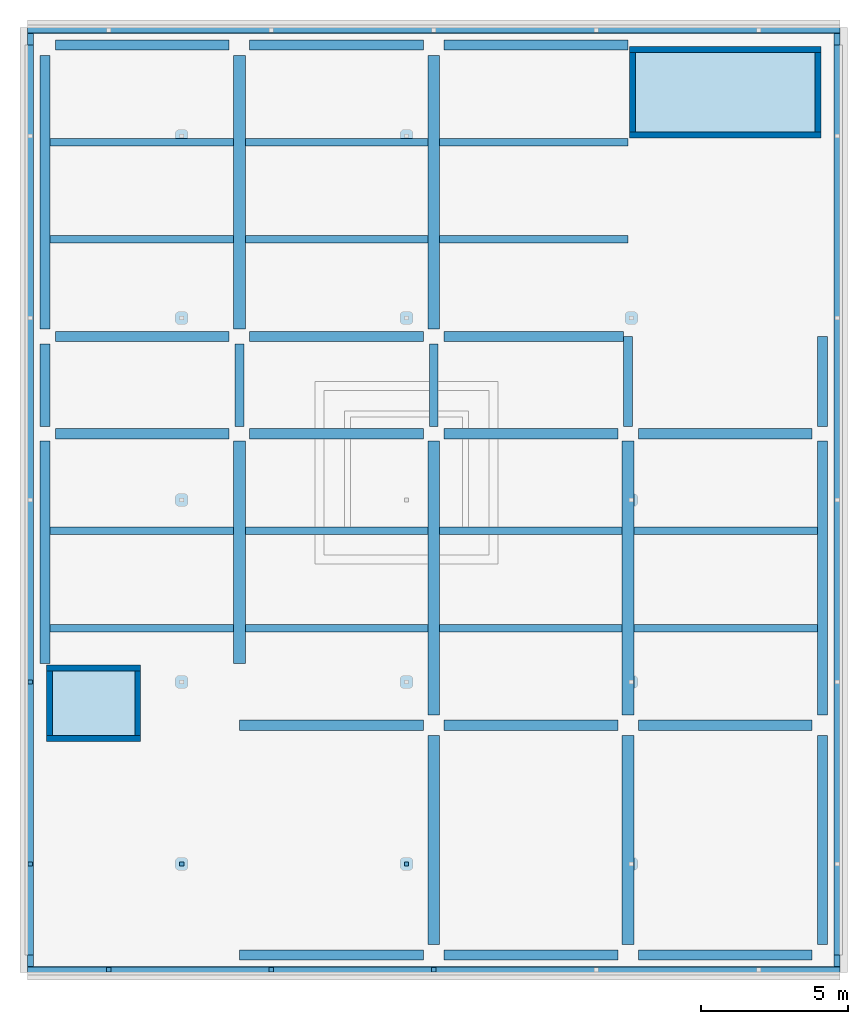
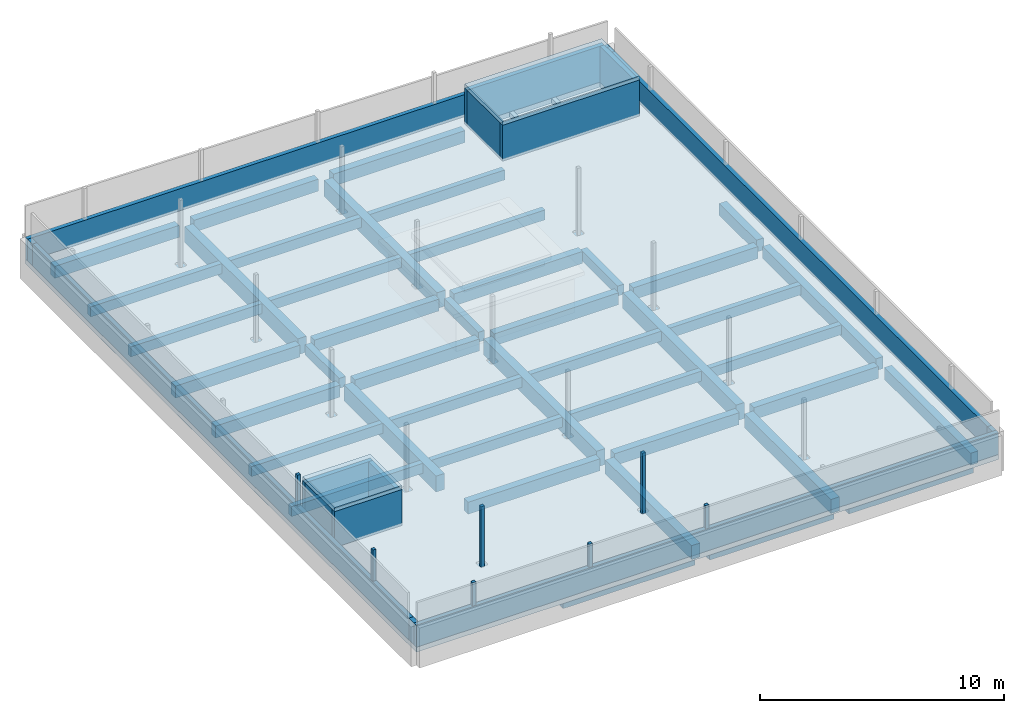
# One storey, part 1 of 4: 46 beams, 16 walls, 7 discrete accessories, 3 slabs.
"""IFC4 building model written with IfcOpenShell, lengths in metres."""

from ifc_helpers import new_model, si_unit, direction, frame, frame_2d, origin, origin_2d, place, context, subcontext, project, spatial, polyline, rectangle, outline, extrude, material, layer, layer_set, material_profile, profile_set, type_object, element, save


model = new_model("IFC4")

# Units and contexts
model_context = context("Model", 3, precision=1e-05, world=origin(), true_north=direction((0.0, 1.0)))
body_context = subcontext(model_context, "Body", "Model", "MODEL_VIEW")
ifc_project = project(units=[si_unit("LENGTHUNIT", "METRE"), si_unit("AREAUNIT", "SQUARE_METRE"), si_unit("VOLUMEUNIT", "CUBIC_METRE"), si_unit("PLANEANGLEUNIT", "RADIAN"), si_unit("MASSUNIT", "GRAM", prefix="KILO")], contexts=[model_context])

# Site, building, storey
site_placement = place(None, origin())
site = spatial("IfcSite", under=ifc_project, at=site_placement, CompositionType="ELEMENT")
building_placement = place(site_placement, origin())
building = spatial("IfcBuilding", under=site, at=building_placement, Name="Lantern Court Research Institute", CompositionType="ELEMENT")
storey_placement = place(building_placement, frame((0.0, 0.0, 45.89990234375)))
storey = spatial("IfcBuildingStorey", under=building, at=storey_placement, Name="RF", CompositionType="ELEMENT", Elevation=45.89990234375)

# Beams
ifc_material_1 = material(Name="Concrete C40/50", Category="concrete")
ifc_material_profile_1 = material_profile(ifc_material_1, rectangle(XDim=0.35009765625, YDim=0.60009765625, at=origin_2d()), Name="RC beam 350 x 600")
ifc_profile_set_1 = profile_set([ifc_material_profile_1], Name="Concrete C40/50")
beam_type_1 = type_object("IfcBeamType", Name="RC beam 350 x 600", PredefinedType="BEAM", material=ifc_profile_set_1)
beam_1_placement = place(storey_placement, frame((59.39990234375, 0.0, -0.5498046875), z_axis=(1.0, 0.0, 0.0), x_axis=(0.0, 1.0, 0.0)))
element("IfcBeam", 1, at=beam_1_placement, inside=storey, type_object=beam_type_1, Name="Beam RF grid A/10-11", PredefinedType="BEAM", context=body_context, shape_type="SweptSolid", body=[
    extrude(rectangle(XDim=0.35009765625, YDim=0.60009765625, at=origin_2d()), origin(), (0.0, 0.0, 1.0), 6.25),
])
beam_2_placement = place(storey_placement, frame((66.35009765625, 0.0, -0.5498046875), z_axis=(1.0, 0.0, 0.0), x_axis=(0.0, 1.0, 0.0)))
element("IfcBeam", 2, at=beam_2_placement, inside=storey, type_object=beam_type_1, Name="Beam RF grid A/11-12", PredefinedType="BEAM", context=body_context, shape_type="SweptSolid", body=[
    extrude(rectangle(XDim=0.35009765625, YDim=0.60009765625, at=origin_2d()), origin(), (0.0, 0.0, 1.0), 5.89990234375),
])
for number, where, z_axis, x_axis, name in (
    (3, (72.949951171875, 0.0, -0.5498046875), (1.0, 0.0, 0.0), (0.0, 1.0, 0.0), "Beam RF grid A/12-13"),
    (4, (53.14990234375, 9.89990234375, -0.5498046875), (1.0, 0.0, 0.0), (0.0, 1.0, 0.0), "Beam RF grid B/9-10"),
):
    element("IfcBeam", number, at=place(storey_placement, frame(where, z_axis=z_axis, x_axis=x_axis)), inside=storey, type_object=beam_type_1, Name=name, PredefinedType="BEAM", context=body_context, shape_type="SweptSolid", body=[
        extrude(rectangle(XDim=0.35009765625, YDim=0.60009765625, at=origin_2d()), origin(), (0.0, 0.0, 1.0), 5.900146484375),
    ])
for number, where, z_axis, x_axis, name in (
    (5, (59.75, 9.89990234375, -0.5498046875), (1.0, 0.0, 0.0), (0.0, 1.0, 0.0), "Beam RF grid B/10-11"),
    (6, (66.35009765625, 9.89990234375, -0.5498046875), (1.0, 0.0, 0.0), (0.0, 1.0, 0.0), "Beam RF grid B/11-12"),
):
    element("IfcBeam", number, at=place(storey_placement, frame(where, z_axis=z_axis, x_axis=x_axis)), inside=storey, type_object=beam_type_1, Name=name, PredefinedType="BEAM", context=body_context, shape_type="SweptSolid", body=[
        extrude(rectangle(XDim=0.35009765625, YDim=0.60009765625, at=origin_2d()), origin(), (0.0, 0.0, 1.0), 5.89990234375),
    ])
for number, where, z_axis, x_axis, name in (
    (7, (72.949951171875, 9.89990234375, -0.5498046875), (1.0, 0.0, 0.0), (0.0, 1.0, 0.0), "Beam RF grid B/12-13"),
    (8, (53.14990234375, 13.199951171875, -0.5498046875), (1.0, 0.0, 0.0), (0.0, 1.0, 0.0), "Beam RF grid C/9-10"),
):
    element("IfcBeam", number, at=place(storey_placement, frame(where, z_axis=z_axis, x_axis=x_axis)), inside=storey, type_object=beam_type_1, Name=name, PredefinedType="BEAM", context=body_context, shape_type="SweptSolid", body=[
        extrude(rectangle(XDim=0.35009765625, YDim=0.60009765625, at=origin_2d()), origin(), (0.0, 0.0, 1.0), 5.900146484375),
    ])
beam_3_placement = place(storey_placement, frame((59.75, 13.199951171875, -0.5498046875), z_axis=(1.0, 0.0, 0.0), x_axis=(0.0, 1.0, 0.0)))
element("IfcBeam", 9, at=beam_3_placement, inside=storey, type_object=beam_type_1, Name="Beam RF grid C/10-11", PredefinedType="BEAM", context=body_context, shape_type="SweptSolid", body=[
    extrude(rectangle(XDim=0.35009765625, YDim=0.60009765625, at=origin_2d()), origin(), (0.0, 0.0, 1.0), 5.89990234375),
])
beam_4_placement = place(storey_placement, frame((66.35009765625, 13.199951171875, -0.5498046875), z_axis=(1.0, 0.0, 0.0), x_axis=(0.0, 1.0, 0.0)))
element("IfcBeam", 10, at=beam_4_placement, inside=storey, type_object=beam_type_1, Name="Beam RF grid C/11-12", PredefinedType="BEAM", context=body_context, shape_type="SweptSolid", body=[
    extrude(rectangle(XDim=0.35009765625, YDim=0.60009765625, at=origin_2d()), origin(), (0.0, 0.0, 1.0), 6.099853515625),
])
ifc_material_2 = material(Name="Concrete C40/50", Category="concrete")
ifc_material_profile_2 = material_profile(ifc_material_2, rectangle(XDim=0.35009765625, YDim=0.60009765625, at=origin_2d()), Name="RC beam 350 x 600")
ifc_profile_set_2 = profile_set([ifc_material_profile_2], Name="Concrete C40/50")
beam_type_2 = type_object("IfcBeamType", Name="RC edge beam 350 x 600", PredefinedType="BEAM", material=ifc_profile_set_2)
beam_5_placement = place(storey_placement, frame((52.800048828125, 2.10009765625, -0.5498046875), z_axis=(0.0, 1.0, 0.0), x_axis=(-1.0, 0.0, 0.0)))
element("IfcBeam", 11, at=beam_5_placement, inside=storey, type_object=beam_type_2, Name="Edge beam RF grid 9/A-B", PredefinedType="BEAM", context=body_context, shape_type="SweptSolid", body=[
    extrude(rectangle(XDim=0.35009765625, YDim=0.60009765625, at=origin_2d()), origin(), (0.0, 0.0, 1.0), 7.5498046875),
])
beam_6_placement = place(storey_placement, frame((52.800048828125, 10.14990234375, -0.5498046875), z_axis=(0.0, 1.0, 0.0), x_axis=(-1.0, 0.0, 0.0)))
element("IfcBeam", 12, at=beam_6_placement, inside=storey, type_object=beam_type_2, Name="Edge beam RF grid 9/B-C", PredefinedType="BEAM", context=body_context, shape_type="SweptSolid", body=[
    extrude(rectangle(XDim=0.35009765625, YDim=0.60009765625, at=origin_2d()), origin(), (0.0, 0.0, 1.0), 2.800048828125),
])
beam_7_placement = place(storey_placement, frame((52.800048828125, 13.449951171875, -0.5498046875), z_axis=(0.0, 1.0, 0.0), x_axis=(-1.0, 0.0, 0.0)))
element("IfcBeam", 13, at=beam_7_placement, inside=storey, type_object=beam_type_2, Name="Edge beam RF grid 9/C-D", PredefinedType="BEAM", context=body_context, shape_type="SweptSolid", body=[
    extrude(rectangle(XDim=0.35009765625, YDim=0.60009765625, at=origin_2d()), origin(), (0.0, 0.0, 1.0), 9.300048828125),
])
beam_8_placement = place(storey_placement, frame((79.199951171875, -7.449951171875, -0.5498046875), z_axis=(0.0, 1.0, 0.0), x_axis=(-1.0, 0.0, 0.0)))
element("IfcBeam", 14, at=beam_8_placement, inside=storey, type_object=beam_type_2, Name="Edge beam RF grid 13/Z-A", PredefinedType="BEAM", context=body_context, shape_type="SweptSolid", body=[
    extrude(rectangle(XDim=0.35009765625, YDim=0.60009765625, at=origin_2d()), origin(), (0.0, 0.0, 1.0), 7.099853515625),
])
beam_9_placement = place(storey_placement, frame((79.199951171875, 0.35009765625, -0.5498046875), z_axis=(0.0, 1.0, 0.0), x_axis=(-1.0, 0.0, 0.0)))
element("IfcBeam", 15, at=beam_9_placement, inside=storey, type_object=beam_type_2, Name="Edge beam RF grid 13/A-B", PredefinedType="BEAM", context=body_context, shape_type="SweptSolid", body=[
    extrude(rectangle(XDim=0.35009765625, YDim=0.60009765625, at=origin_2d()), origin(), (0.0, 0.0, 1.0), 9.2998046875),
])
beam_10_placement = place(storey_placement, frame((79.199951171875, 10.14990234375, -0.5498046875), z_axis=(0.0, 1.0, 0.0), x_axis=(-1.0, 0.0, 0.0)))
element("IfcBeam", 16, at=beam_10_placement, inside=storey, type_object=beam_type_2, Name="Edge beam RF grid 13/B-C", PredefinedType="BEAM", context=body_context, shape_type="SweptSolid", body=[
    extrude(rectangle(XDim=0.35009765625, YDim=0.60009765625, at=origin_2d()), origin(), (0.0, 0.0, 1.0), 3.050048828125),
])
beam_11_placement = place(storey_placement, frame((59.39990234375, -7.800048828125, -0.5498046875), z_axis=(1.0, 0.0, 0.0), x_axis=(0.0, 1.0, 0.0)))
element("IfcBeam", 17, at=beam_11_placement, inside=storey, type_object=beam_type_2, Name="Edge beam RF grid Z/10-11", PredefinedType="BEAM", context=body_context, shape_type="SweptSolid", body=[
    extrude(rectangle(XDim=0.35009765625, YDim=0.60009765625, at=origin_2d()), origin(), (0.0, 0.0, 1.0), 6.25),
])
beam_12_placement = place(storey_placement, frame((66.35009765625, -7.800048828125, -0.5498046875), z_axis=(1.0, 0.0, 0.0), x_axis=(0.0, 1.0, 0.0)))
element("IfcBeam", 18, at=beam_12_placement, inside=storey, type_object=beam_type_2, Name="Edge beam RF grid Z/11-12", PredefinedType="BEAM", context=body_context, shape_type="SweptSolid", body=[
    extrude(rectangle(XDim=0.35009765625, YDim=0.60009765625, at=origin_2d()), origin(), (0.0, 0.0, 1.0), 5.89990234375),
])
for number, where, z_axis, x_axis, name in (
    (19, (72.949951171875, -7.800048828125, -0.5498046875), (1.0, 0.0, 0.0), (0.0, 1.0, 0.0), "Edge beam RF grid Z/12-13"),
    (20, (53.14990234375, 23.10009765625, -0.5498046875), (1.0, 0.0, 0.0), (0.0, 1.0, 0.0), "Edge beam RF grid D/9-10"),
):
    element("IfcBeam", number, at=place(storey_placement, frame(where, z_axis=z_axis, x_axis=x_axis)), inside=storey, type_object=beam_type_2, Name=name, PredefinedType="BEAM", context=body_context, shape_type="SweptSolid", body=[
        extrude(rectangle(XDim=0.35009765625, YDim=0.60009765625, at=origin_2d()), origin(), (0.0, 0.0, 1.0), 5.900146484375),
    ])
beam_13_placement = place(storey_placement, frame((59.75, 23.10009765625, -0.5498046875), z_axis=(1.0, 0.0, 0.0), x_axis=(0.0, 1.0, 0.0)))
element("IfcBeam", 21, at=beam_13_placement, inside=storey, type_object=beam_type_2, Name="Edge beam RF grid D/10-11", PredefinedType="BEAM", context=body_context, shape_type="SweptSolid", body=[
    extrude(rectangle(XDim=0.35009765625, YDim=0.60009765625, at=origin_2d()), origin(), (0.0, 0.0, 1.0), 5.89990234375),
])
beam_14_placement = place(storey_placement, frame((66.35009765625, 23.10009765625, -0.5498046875), z_axis=(1.0, 0.0, 0.0), x_axis=(0.0, 1.0, 0.0)))
element("IfcBeam", 22, at=beam_14_placement, inside=storey, type_object=beam_type_2, Name="Edge beam RF grid D/11-12", PredefinedType="BEAM", context=body_context, shape_type="SweptSolid", body=[
    extrude(rectangle(XDim=0.35009765625, YDim=0.60009765625, at=origin_2d()), origin(), (0.0, 0.0, 1.0), 6.25),
])
ifc_material_3 = material(Name="Concrete C40/50", Category="concrete")
ifc_material_profile_3 = material_profile(ifc_material_3, rectangle(XDim=0.39990234375, YDim=0.699951171875, at=origin_2d()), Name="RC beam 400 x 700")
ifc_profile_set_3 = profile_set([ifc_material_profile_3], Name="Concrete C40/50")
beam_type_3 = type_object("IfcBeamType", Name="RC girder 400 x 700", PredefinedType="BEAM", material=ifc_profile_set_3)
for number, where, z_axis, x_axis, name in (
    (23, (66.0, -7.449951171875, -0.599853515625), (0.0, 1.0, 0.0), (-1.0, 0.0, 0.0), "Girder RF grid 11/Z-A"),
    (24, (72.60009765625, -7.449951171875, -0.599853515625), (0.0, 1.0, 0.0), (-1.0, 0.0, 0.0), "Girder RF grid 12/Z-A"),
):
    element("IfcBeam", number, at=place(storey_placement, frame(where, z_axis=z_axis, x_axis=x_axis)), inside=storey, type_object=beam_type_3, Name=name, PredefinedType="BEAM", context=body_context, shape_type="SweptSolid", body=[
        extrude(rectangle(XDim=0.39990234375, YDim=0.699951171875, at=origin_2d()), origin(), (0.0, 0.0, 1.0), 7.099853515625),
    ])
ifc_material_4 = material(Name="Concrete C40/50", Category="concrete")
ifc_material_profile_4 = material_profile(ifc_material_4, rectangle(XDim=0.39990234375, YDim=0.800048828125, at=origin_2d()), Name="RC beam 400 x 800")
ifc_profile_set_4 = profile_set([ifc_material_profile_4], Name="Concrete C40/50")
beam_type_4 = type_object("IfcBeamType", Name="RC girder 400 x 800", PredefinedType="BEAM", material=ifc_profile_set_4)
beam_15_placement = place(storey_placement, frame((59.39990234375, 2.10009765625, -0.64990234375), z_axis=(0.0, 1.0, 0.0), x_axis=(-1.0, 0.0, 0.0)))
element("IfcBeam", 25, at=beam_15_placement, inside=storey, type_object=beam_type_4, Name="Girder RF grid 10/A-B", PredefinedType="BEAM", context=body_context, shape_type="SweptSolid", body=[
    extrude(rectangle(XDim=0.39990234375, YDim=0.800048828125, at=origin_2d()), origin(), (0.0, 0.0, 1.0), 7.5498046875),
])
beam_16_placement = place(storey_placement, frame((59.39990234375, 13.449951171875, -0.64990234375), z_axis=(0.0, 1.0, 0.0), x_axis=(-1.0, 0.0, 0.0)))
element("IfcBeam", 26, at=beam_16_placement, inside=storey, type_object=beam_type_4, Name="Girder RF grid 10/C-D", PredefinedType="BEAM", context=body_context, shape_type="SweptSolid", body=[
    extrude(rectangle(XDim=0.39990234375, YDim=0.800048828125, at=origin_2d()), origin(), (0.0, 0.0, 1.0), 9.300048828125),
])
beam_17_placement = place(storey_placement, frame((66.0, 0.35009765625, -0.64990234375), z_axis=(0.0, 1.0, 0.0), x_axis=(-1.0, 0.0, 0.0)))
element("IfcBeam", 27, at=beam_17_placement, inside=storey, type_object=beam_type_4, Name="Girder RF grid 11/A-B", PredefinedType="BEAM", context=body_context, shape_type="SweptSolid", body=[
    extrude(rectangle(XDim=0.39990234375, YDim=0.800048828125, at=origin_2d()), origin(), (0.0, 0.0, 1.0), 9.2998046875),
])
beam_18_placement = place(storey_placement, frame((66.0, 13.449951171875, -0.64990234375), z_axis=(0.0, 1.0, 0.0), x_axis=(-1.0, 0.0, 0.0)))
element("IfcBeam", 28, at=beam_18_placement, inside=storey, type_object=beam_type_4, Name="Girder RF grid 11/C-D", PredefinedType="BEAM", context=body_context, shape_type="SweptSolid", body=[
    extrude(rectangle(XDim=0.39990234375, YDim=0.800048828125, at=origin_2d()), origin(), (0.0, 0.0, 1.0), 9.300048828125),
])
beam_19_placement = place(storey_placement, frame((72.60009765625, 0.35009765625, -0.64990234375), z_axis=(0.0, 1.0, 0.0), x_axis=(-1.0, 0.0, 0.0)))
element("IfcBeam", 29, at=beam_19_placement, inside=storey, type_object=beam_type_4, Name="Girder RF grid 12/A-B", PredefinedType="BEAM", context=body_context, shape_type="SweptSolid", body=[
    extrude(rectangle(XDim=0.39990234375, YDim=0.800048828125, at=origin_2d()), origin(), (0.0, 0.0, 1.0), 9.2998046875),
])
ifc_material_5 = material(Name="Concrete C40/50", Category="concrete")
ifc_material_profile_5 = material_profile(ifc_material_5, rectangle(XDim=0.25, YDim=0.5, at=origin_2d()), Name="RC beam 250 x 500")
ifc_profile_set_5 = profile_set([ifc_material_profile_5], Name="Concrete C40/50")
beam_type_5 = type_object("IfcBeamType", Name="RC secondary beam 250 x 500", PredefinedType="BEAM", material=ifc_profile_set_5)
beam_20_placement = place(storey_placement, frame((52.97509765625, 3.300048828125, -0.5), z_axis=(1.0, 0.0, 0.0), x_axis=(0.0, 1.0, 0.0)))
element("IfcBeam", 30, at=beam_20_placement, inside=storey, type_object=beam_type_5, Name="Secondary beam RF grids 9-10 / A-B, line 1", PredefinedType="BEAM", context=body_context, shape_type="SweptSolid", body=[
    extrude(rectangle(XDim=0.25, YDim=0.5, at=origin_2d()), origin(), (0.0, 0.0, 1.0), 6.224853515625),
])
for number, where, z_axis, x_axis, name in (
    (31, (59.60009765625, 3.300048828125, -0.5), (1.0, 0.0, 0.0), (0.0, 1.0, 0.0), "Secondary beam RF grids 10-11 / A-B, line 1"),
    (32, (66.199951171875, 3.300048828125, -0.5), (1.0, 0.0, 0.0), (0.0, 1.0, 0.0), "Secondary beam RF grids 11-12 / A-B, line 1"),
):
    element("IfcBeam", number, at=place(storey_placement, frame(where, z_axis=z_axis, x_axis=x_axis)), inside=storey, type_object=beam_type_5, Name=name, PredefinedType="BEAM", context=body_context, shape_type="SweptSolid", body=[
        extrude(rectangle(XDim=0.25, YDim=0.5, at=origin_2d()), origin(), (0.0, 0.0, 1.0), 6.199951171875),
    ])
for number, where, z_axis, x_axis, name in (
    (33, (72.800048828125, 3.300048828125, -0.5), (1.0, 0.0, 0.0), (0.0, 1.0, 0.0), "Secondary beam RF grids 12-13 / A-B, line 1"),
    (34, (52.97509765625, 6.60009765625, -0.5), (1.0, 0.0, 0.0), (0.0, 1.0, 0.0), "Secondary beam RF grids 9-10 / A-B, line 2"),
):
    element("IfcBeam", number, at=place(storey_placement, frame(where, z_axis=z_axis, x_axis=x_axis)), inside=storey, type_object=beam_type_5, Name=name, PredefinedType="BEAM", context=body_context, shape_type="SweptSolid", body=[
        extrude(rectangle(XDim=0.25, YDim=0.5, at=origin_2d()), origin(), (0.0, 0.0, 1.0), 6.224853515625),
    ])
for number, where, z_axis, x_axis, name in (
    (35, (59.60009765625, 6.60009765625, -0.5), (1.0, 0.0, 0.0), (0.0, 1.0, 0.0), "Secondary beam RF grids 10-11 / A-B, line 2"),
    (36, (66.199951171875, 6.60009765625, -0.5), (1.0, 0.0, 0.0), (0.0, 1.0, 0.0), "Secondary beam RF grids 11-12 / A-B, line 2"),
):
    element("IfcBeam", number, at=place(storey_placement, frame(where, z_axis=z_axis, x_axis=x_axis)), inside=storey, type_object=beam_type_5, Name=name, PredefinedType="BEAM", context=body_context, shape_type="SweptSolid", body=[
        extrude(rectangle(XDim=0.25, YDim=0.5, at=origin_2d()), origin(), (0.0, 0.0, 1.0), 6.199951171875),
    ])
for number, where, z_axis, x_axis, name in (
    (37, (72.800048828125, 6.60009765625, -0.5), (1.0, 0.0, 0.0), (0.0, 1.0, 0.0), "Secondary beam RF grids 12-13 / A-B, line 2"),
    (38, (52.97509765625, 16.5, -0.5), (1.0, 0.0, 0.0), (0.0, 1.0, 0.0), "Secondary beam RF grids 9-10 / C-D, line 1"),
):
    element("IfcBeam", number, at=place(storey_placement, frame(where, z_axis=z_axis, x_axis=x_axis)), inside=storey, type_object=beam_type_5, Name=name, PredefinedType="BEAM", context=body_context, shape_type="SweptSolid", body=[
        extrude(rectangle(XDim=0.25, YDim=0.5, at=origin_2d()), origin(), (0.0, 0.0, 1.0), 6.224853515625),
    ])
beam_21_placement = place(storey_placement, frame((59.60009765625, 16.5, -0.5), z_axis=(1.0, 0.0, 0.0), x_axis=(0.0, 1.0, 0.0)))
element("IfcBeam", 39, at=beam_21_placement, inside=storey, type_object=beam_type_5, Name="Secondary beam RF grids 10-11 / C-D, line 1", PredefinedType="BEAM", context=body_context, shape_type="SweptSolid", body=[
    extrude(rectangle(XDim=0.25, YDim=0.5, at=origin_2d()), origin(), (0.0, 0.0, 1.0), 6.199951171875),
])
beam_22_placement = place(storey_placement, frame((66.199951171875, 16.5, -0.5), z_axis=(1.0, 0.0, 0.0), x_axis=(0.0, 1.0, 0.0)))
element("IfcBeam", 40, at=beam_22_placement, inside=storey, type_object=beam_type_5, Name="Secondary beam RF grids 11-12 / C-D, line 1", PredefinedType="BEAM", context=body_context, shape_type="SweptSolid", body=[
    extrude(rectangle(XDim=0.25, YDim=0.5, at=origin_2d()), origin(), (0.0, 0.0, 1.0), 6.400146484375),
])
beam_23_placement = place(storey_placement, frame((52.97509765625, 19.800048828125, -0.5), z_axis=(1.0, 0.0, 0.0), x_axis=(0.0, 1.0, 0.0)))
element("IfcBeam", 41, at=beam_23_placement, inside=storey, type_object=beam_type_5, Name="Secondary beam RF grids 9-10 / C-D, line 2", PredefinedType="BEAM", context=body_context, shape_type="SweptSolid", body=[
    extrude(rectangle(XDim=0.25, YDim=0.5, at=origin_2d()), origin(), (0.0, 0.0, 1.0), 6.224853515625),
])
beam_24_placement = place(storey_placement, frame((59.60009765625, 19.800048828125, -0.5), z_axis=(1.0, 0.0, 0.0), x_axis=(0.0, 1.0, 0.0)))
element("IfcBeam", 42, at=beam_24_placement, inside=storey, type_object=beam_type_5, Name="Secondary beam RF grids 10-11 / C-D, line 2", PredefinedType="BEAM", context=body_context, shape_type="SweptSolid", body=[
    extrude(rectangle(XDim=0.25, YDim=0.5, at=origin_2d()), origin(), (0.0, 0.0, 1.0), 6.199951171875),
])
beam_25_placement = place(storey_placement, frame((66.199951171875, 19.800048828125, -0.5), z_axis=(1.0, 0.0, 0.0), x_axis=(0.0, 1.0, 0.0)))
element("IfcBeam", 43, at=beam_25_placement, inside=storey, type_object=beam_type_5, Name="Secondary beam RF grids 11-12 / C-D, line 2", PredefinedType="BEAM", context=body_context, shape_type="SweptSolid", body=[
    extrude(rectangle(XDim=0.25, YDim=0.5, at=origin_2d()), origin(), (0.0, 0.0, 1.0), 6.400146484375),
])
ifc_material_6 = material(Name="Concrete C40/50", Category="concrete")
ifc_material_profile_6 = material_profile(ifc_material_6, rectangle(XDim=0.300048828125, YDim=0.5, at=origin_2d()), Name="RC beam 300 x 500")
ifc_profile_set_6 = profile_set([ifc_material_profile_6], Name="Concrete C40/50")
beam_type_6 = type_object("IfcBeamType", Name="RC spine beam 300 x 500", PredefinedType="BEAM", material=ifc_profile_set_6)
for number, where, z_axis, x_axis, name in (
    (44, (59.39990234375, 10.14990234375, -0.5), (0.0, 1.0, 0.0), (-1.0, 0.0, 0.0), "Beam RF grid 10/B-C"),
    (45, (66.0, 10.14990234375, -0.5), (0.0, 1.0, 0.0), (-1.0, 0.0, 0.0), "Beam RF grid 11/B-C"),
):
    element("IfcBeam", number, at=place(storey_placement, frame(where, z_axis=z_axis, x_axis=x_axis)), inside=storey, type_object=beam_type_6, Name=name, PredefinedType="BEAM", context=body_context, shape_type="SweptSolid", body=[
        extrude(rectangle(XDim=0.300048828125, YDim=0.5, at=origin_2d()), origin(), (0.0, 0.0, 1.0), 2.800048828125),
    ])
beam_26_placement = place(storey_placement, frame((72.60009765625, 10.14990234375, -0.5), z_axis=(0.0, 1.0, 0.0), x_axis=(-1.0, 0.0, 0.0)))
element("IfcBeam", 46, at=beam_26_placement, inside=storey, type_object=beam_type_6, Name="Beam RF grid 12/B-C", PredefinedType="BEAM", context=body_context, shape_type="SweptSolid", body=[
    extrude(rectangle(XDim=0.300048828125, YDim=0.5, at=origin_2d()), origin(), (0.0, 0.0, 1.0), 3.050048828125),
])

# Slabs
ifc_material_7 = material(Name="Concrete C35/45", Category="concrete")
ifc_layer_1 = layer(ifc_material_7, 0.199951171875)
ifc_layer_set_1 = layer_set([ifc_layer_1], Name="Concrete C35/45")
slab_type_1 = type_object("IfcSlabType", Name="RC lift overrun roof 200", PredefinedType="ROOF", material=ifc_layer_set_1)
slab_1_placement = place(storey_placement, frame((0.0, 0.0, 1.800048828125)))
element("IfcSlab", 47, at=slab_1_placement, inside=storey, type_object=slab_type_1, Name="Lift overrun roof of core TC-W", PredefinedType="ROOF", context=body_context, shape_type="SweptSolid", body=[
    extrude(outline(polyline([(52.85009765625, -0.550048828125), (56.050048828125, -0.550048828125), (56.050048828125, 2.050048828125), (52.85009765625, 2.050048828125), (52.85009765625, -0.550048828125)])), origin(), (0.0, 0.0, 1.0), 0.199951171875),
])
slab_2_placement = place(storey_placement, frame((0.0, 0.0, 1.800048828125)))
element("IfcSlab", 48, at=slab_2_placement, inside=storey, type_object=slab_type_1, Name="Lift overrun roof of core TC-E", PredefinedType="ROOF", context=body_context, shape_type="SweptSolid", body=[
    extrude(outline(polyline([(72.64990234375, 19.949951171875), (79.14990234375, 19.949951171875), (79.14990234375, 23.050048828125), (72.64990234375, 23.050048828125), (72.64990234375, 19.949951171875)])), origin(), (0.0, 0.0, 1.0), 0.199951171875),
])
ifc_material_8 = material(Name="Concrete C35/45", Category="concrete")
ifc_layer_2 = layer(ifc_material_8, 0.25)
ifc_layer_set_2 = layer_set([ifc_layer_2], Name="Concrete C35/45")
slab_type_2 = type_object("IfcSlabType", Name="RC roof slab 250", PredefinedType="ROOF", material=ifc_layer_set_2)
slab_3_placement = place(storey_placement, frame((0.0, 0.0, -0.25)))
element("IfcSlab", 49, at=slab_3_placement, inside=storey, type_object=slab_type_2, Name="Roof slab RF Dry Laboratory and Clean Room Tower", PredefinedType="ROOF", context=body_context, shape_type="SweptSolid", body=[
    extrude(outline(polyline([(52.199951171875, -8.39990234375), (79.800048828125, -8.39990234375), (79.800048828125, -7.800048828125), (79.800048828125, 23.10009765625), (79.800048828125, 23.699951171875), (52.199951171875, 23.699951171875), (52.199951171875, 23.10009765625), (52.199951171875, -7.800048828125), (52.199951171875, -8.39990234375)]), holes=[polyline([(53.050048828125, -0.35009765625), (55.85009765625, -0.35009765625), (55.85009765625, 1.85009765625), (53.050048828125, 1.85009765625), (53.050048828125, -0.35009765625)]), polyline([(72.85009765625, 20.14990234375), (74.64990234375, 20.14990234375), (74.64990234375, 22.85009765625), (72.85009765625, 22.85009765625), (72.85009765625, 20.14990234375)]), polyline([(74.85009765625, 20.14990234375), (76.64990234375, 20.14990234375), (76.64990234375, 22.85009765625), (74.85009765625, 22.85009765625), (74.85009765625, 20.14990234375)]), polyline([(76.85009765625, 20.14990234375), (78.949951171875, 20.14990234375), (78.949951171875, 22.85009765625), (76.85009765625, 22.85009765625), (76.85009765625, 20.14990234375)])]), origin(), (0.0, 0.0, 1.0), 0.25),
])

# Walls
ifc_material_9 = material(Name="Concrete C30/37", Category="concrete")
ifc_layer_3 = layer(ifc_material_9, 0.199951171875)
ifc_layer_set_3 = layer_set([ifc_layer_3], Name="Concrete C30/37")
wall_type_1 = type_object("IfcWallType", Name="Parapet 200 concrete upstand", PredefinedType="PARAPET", material=ifc_layer_set_3)
wall_1_placement = place(storey_placement, frame((52.199951171875, -8.300048828125, 0.0), z_axis=(0.0, 0.0, 1.0), x_axis=(1.0, 0.0, 0.0)))
element("IfcWall", 50, at=wall_1_placement, inside=storey, type_object=wall_type_1, Name="Parapet RF Dry Laboratory and Clean Room Tower 1", PredefinedType="PARAPET", context=body_context, shape_type="SweptSolid", body=[
    extrude(rectangle(XDim=27.60009765625, YDim=0.199951171875, at=frame_2d((13.800048828125, 0.0))), origin(), (0.0, 0.0, 1.0), 1.10009765625),
])
wall_2_placement = place(storey_placement, frame((79.699951171875, -8.199951171875, 0.0), z_axis=(0.0, 0.0, 1.0), x_axis=(0.0, 1.0, 0.0)))
element("IfcWall", 51, at=wall_2_placement, inside=storey, type_object=wall_type_1, Name="Parapet RF Dry Laboratory and Clean Room Tower 2", PredefinedType="PARAPET", context=body_context, shape_type="SweptSolid", body=[
    extrude(rectangle(XDim=0.39990234375, YDim=0.199951171875, at=frame_2d((0.199951171875, 0.0))), origin(), (0.0, 0.0, 1.0), 1.10009765625),
])
wall_3_placement = place(storey_placement, frame((79.699951171875, -7.800048828125, 0.0), z_axis=(0.0, 0.0, 1.0), x_axis=(0.0, 1.0, 0.0)))
element("IfcWall", 52, at=wall_3_placement, inside=storey, type_object=wall_type_1, Name="Parapet RF Dry Laboratory and Clean Room Tower 3", PredefinedType="PARAPET", context=body_context, shape_type="SweptSolid", body=[
    extrude(rectangle(XDim=30.900146484375, YDim=0.199951171875, at=frame_2d((15.4501953125, 0.0))), origin(), (0.0, 0.0, 1.0), 1.10009765625),
])
wall_4_placement = place(storey_placement, frame((79.699951171875, 23.10009765625, 0.0), z_axis=(0.0, 0.0, 1.0), x_axis=(0.0, 1.0, 0.0)))
element("IfcWall", 53, at=wall_4_placement, inside=storey, type_object=wall_type_1, Name="Parapet RF Dry Laboratory and Clean Room Tower 4", PredefinedType="PARAPET", context=body_context, shape_type="SweptSolid", body=[
    extrude(rectangle(XDim=0.39990234375, YDim=0.199951171875, at=frame_2d((0.199951171875, 0.0))), origin(), (0.0, 0.0, 1.0), 1.10009765625),
])
wall_5_placement = place(storey_placement, frame((79.800048828125, 23.60009765625, 0.0), z_axis=(0.0, 0.0, 1.0), x_axis=(-1.0, 0.0, 0.0)))
element("IfcWall", 54, at=wall_5_placement, inside=storey, type_object=wall_type_1, Name="Parapet RF Dry Laboratory and Clean Room Tower 5", PredefinedType="PARAPET", context=body_context, shape_type="SweptSolid", body=[
    extrude(rectangle(XDim=27.60009765625, YDim=0.199951171875, at=frame_2d((13.800048828125, 0.0))), origin(), (0.0, 0.0, 1.0), 1.10009765625),
])
wall_6_placement = place(storey_placement, frame((52.300048828125, 23.5, 0.0), z_axis=(0.0, 0.0, 1.0), x_axis=(0.0, -1.0, 0.0)))
element("IfcWall", 55, at=wall_6_placement, inside=storey, type_object=wall_type_1, Name="Parapet RF Dry Laboratory and Clean Room Tower 6", PredefinedType="PARAPET", context=body_context, shape_type="SweptSolid", body=[
    extrude(rectangle(XDim=0.39990234375, YDim=0.199951171875, at=frame_2d((0.199951171875, 0.0))), origin(), (0.0, 0.0, 1.0), 1.10009765625),
])
wall_7_placement = place(storey_placement, frame((52.300048828125, 23.10009765625, 0.0), z_axis=(0.0, 0.0, 1.0), x_axis=(0.0, -1.0, 0.0)))
element("IfcWall", 56, at=wall_7_placement, inside=storey, type_object=wall_type_1, Name="Parapet RF Dry Laboratory and Clean Room Tower 7", PredefinedType="PARAPET", context=body_context, shape_type="SweptSolid", body=[
    extrude(rectangle(XDim=30.900146484375, YDim=0.199951171875, at=frame_2d((15.4501953125, 0.0))), origin(), (0.0, 0.0, 1.0), 1.10009765625),
])
wall_8_placement = place(storey_placement, frame((52.300048828125, -7.800048828125, 0.0), z_axis=(0.0, 0.0, 1.0), x_axis=(0.0, -1.0, 0.0)))
element("IfcWall", 57, at=wall_8_placement, inside=storey, type_object=wall_type_1, Name="Parapet RF Dry Laboratory and Clean Room Tower 8", PredefinedType="PARAPET", context=body_context, shape_type="SweptSolid", body=[
    extrude(rectangle(XDim=0.39990234375, YDim=0.199951171875, at=frame_2d((0.199951171875, 0.0))), origin(), (0.0, 0.0, 1.0), 1.10009765625),
])
ifc_material_10 = material(Name="Concrete C40/50", Category="concrete")
ifc_layer_4 = layer(ifc_material_10, 0.199951171875)
ifc_layer_set_4 = layer_set([ifc_layer_4], Name="Concrete C40/50")
wall_type_2 = type_object("IfcWallType", Name="RC lift overrun wall 200", PredefinedType="SHEAR", material=ifc_layer_set_4)
for number, where, z_axis, x_axis, name in (
    (58, (52.85009765625, -0.449951171875, 0.0), (0.0, 0.0, 1.0), (1.0, 0.0, 0.0), "Lift overrun wall of core TC-W (south)"),
    (59, (52.85009765625, 1.949951171875, 0.0), (0.0, 0.0, 1.0), (1.0, 0.0, 0.0), "Lift overrun wall of core TC-W (north)"),
):
    element("IfcWall", number, at=place(storey_placement, frame(where, z_axis=z_axis, x_axis=x_axis)), inside=storey, type_object=wall_type_2, Name=name, PredefinedType="SHEAR", context=body_context, shape_type="SweptSolid", body=[
        extrude(rectangle(XDim=3.199951171875, YDim=0.199951171875, at=frame_2d((1.60009765625, 0.0))), origin(), (0.0, 0.0, 1.0), 1.800048828125),
    ])
for number, where, z_axis, x_axis, name in (
    (60, (52.949951171875, -0.35009765625, 0.0), (0.0, 0.0, 1.0), (0.0, 1.0, 0.0), "Lift overrun wall of core TC-W (west)"),
    (61, (55.949951171875, -0.35009765625, 0.0), (0.0, 0.0, 1.0), (0.0, 1.0, 0.0), "Lift overrun wall of core TC-W (east)"),
):
    element("IfcWall", number, at=place(storey_placement, frame(where, z_axis=z_axis, x_axis=x_axis)), inside=storey, type_object=wall_type_2, Name=name, PredefinedType="SHEAR", context=body_context, shape_type="SweptSolid", body=[
        extrude(rectangle(XDim=2.2001953125, YDim=0.199951171875, at=frame_2d((1.10009765625, 0.0))), origin(), (0.0, 0.0, 1.0), 1.800048828125),
    ])
for number, where, z_axis, x_axis, name in (
    (62, (72.64990234375, 20.050048828125, 0.0), (0.0, 0.0, 1.0), (1.0, 0.0, 0.0), "Lift overrun wall of core TC-E (south)"),
    (63, (72.64990234375, 22.949951171875, 0.0), (0.0, 0.0, 1.0), (1.0, 0.0, 0.0), "Lift overrun wall of core TC-E (north)"),
):
    element("IfcWall", number, at=place(storey_placement, frame(where, z_axis=z_axis, x_axis=x_axis)), inside=storey, type_object=wall_type_2, Name=name, PredefinedType="SHEAR", context=body_context, shape_type="SweptSolid", body=[
        extrude(rectangle(XDim=6.5, YDim=0.199951171875, at=frame_2d((3.25, 0.0))), origin(), (0.0, 0.0, 1.0), 1.800048828125),
    ])
for number, where, z_axis, x_axis, name in (
    (64, (72.75, 20.14990234375, 0.0), (0.0, 0.0, 1.0), (0.0, 1.0, 0.0), "Lift overrun wall of core TC-E (west)"),
    (65, (79.050048828125, 20.14990234375, 0.0), (0.0, 0.0, 1.0), (0.0, 1.0, 0.0), "Lift overrun wall of core TC-E (east)"),
):
    element("IfcWall", number, at=place(storey_placement, frame(where, z_axis=z_axis, x_axis=x_axis)), inside=storey, type_object=wall_type_2, Name=name, PredefinedType="SHEAR", context=body_context, shape_type="SweptSolid", body=[
        extrude(rectangle(XDim=2.7001953125, YDim=0.199951171875, at=frame_2d((1.35009765625, 0.0))), origin(), (0.0, 0.0, 1.0), 1.800048828125),
    ])

# Discrete accessories
ifc_material_11 = material(Name="Structural steel S355", Category="steel")
discrete_accessory_type = type_object("IfcDiscreteAccessoryType", Name="Parasol roof post 150 x 150 steel", PredefinedType="BRACKET", material=ifc_material_11)
for number, where, z_axis, x_axis, name in (
    (66, (65.074951171875, -4.7099609375, 0.0), (0.0, 0.0, 1.0), (1.0, 0.0, 0.0), "Parasol roof post V5 1"),
    (67, (57.4375, -4.7099609375, 0.0), (0.0, 0.0, 1.0), (1.0, 0.0, 0.0), "Parasol roof post V5 6"),
):
    element("IfcDiscreteAccessory", number, at=place(storey_placement, frame(where, z_axis=z_axis, x_axis=x_axis)), inside=storey, type_object=discrete_accessory_type, Name=name, PredefinedType="BRACKET", context=body_context, shape_type="SweptSolid", body=[
        extrude(rectangle(XDim=0.14990234375, YDim=0.14990234375, at=origin_2d()), origin(), (0.0, 0.0, 1.0), 3.035400390625),
    ])
for number, where, z_axis, x_axis, name in (
    (68, (54.9599609375, -8.300048828125, 1.10009765625), (0.0, 0.0, 1.0), (1.0, 0.0, 0.0), "Parasol roof post V5 15"),
    (69, (60.47998046875, -8.300048828125, 1.10009765625), (0.0, 0.0, 1.0), (1.0, 0.0, 0.0), "Parasol roof post V5 16"),
    (70, (66.0, -8.300048828125, 1.10009765625), (0.0, 0.0, 1.0), (1.0, 0.0, 0.0), "Parasol roof post V5 17"),
):
    element("IfcDiscreteAccessory", number, at=place(storey_placement, frame(where, z_axis=z_axis, x_axis=x_axis)), inside=storey, type_object=discrete_accessory_type, Name=name, PredefinedType="BRACKET", context=body_context, shape_type="SweptSolid", body=[
        extrude(rectangle(XDim=0.14990234375, YDim=0.14990234375, at=origin_2d()), origin(), (0.0, 0.0, 1.0), 1.17236328125),
    ])
for number, where, z_axis, x_axis, name in (
    (71, (52.300048828125, 1.469970703125, 1.10009765625), (0.0, 0.0, 1.0), (1.0, 0.0, 0.0), "Parasol roof post V5 33"),
    (72, (52.300048828125, -4.7099609375, 1.10009765625), (0.0, 0.0, 1.0), (1.0, 0.0, 0.0), "Parasol roof post V5 34"),
):
    element("IfcDiscreteAccessory", number, at=place(storey_placement, frame(where, z_axis=z_axis, x_axis=x_axis)), inside=storey, type_object=discrete_accessory_type, Name=name, PredefinedType="BRACKET", context=body_context, shape_type="SweptSolid", body=[
        extrude(rectangle(XDim=0.14990234375, YDim=0.14990234375, at=origin_2d()), origin(), (0.0, 0.0, 1.0), 1.5654296875),
    ])

save(model, "model.ifc")
